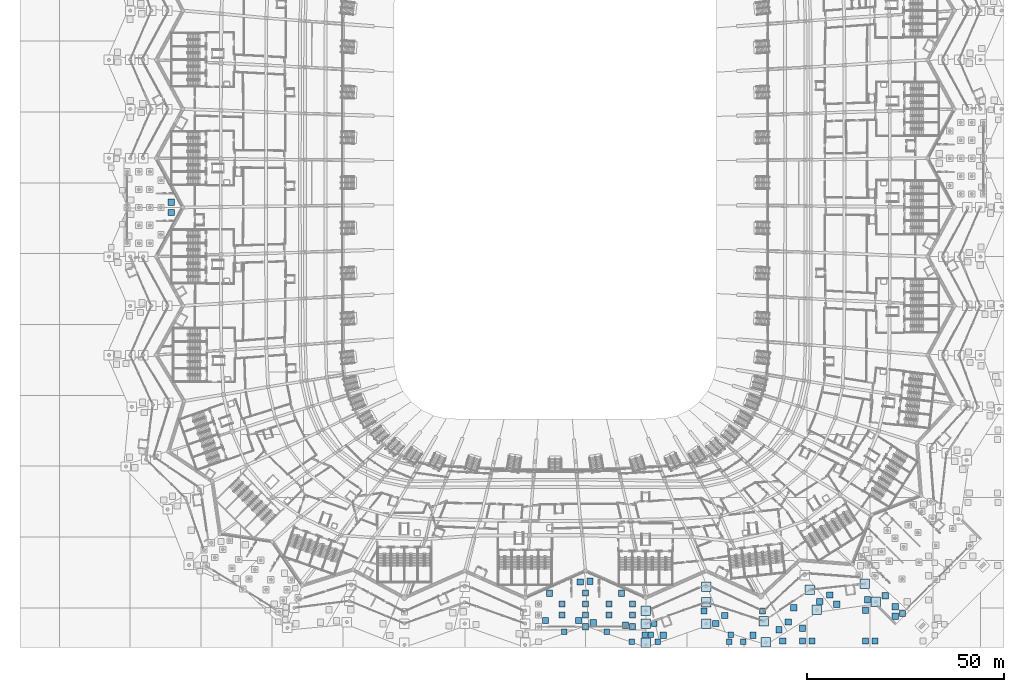
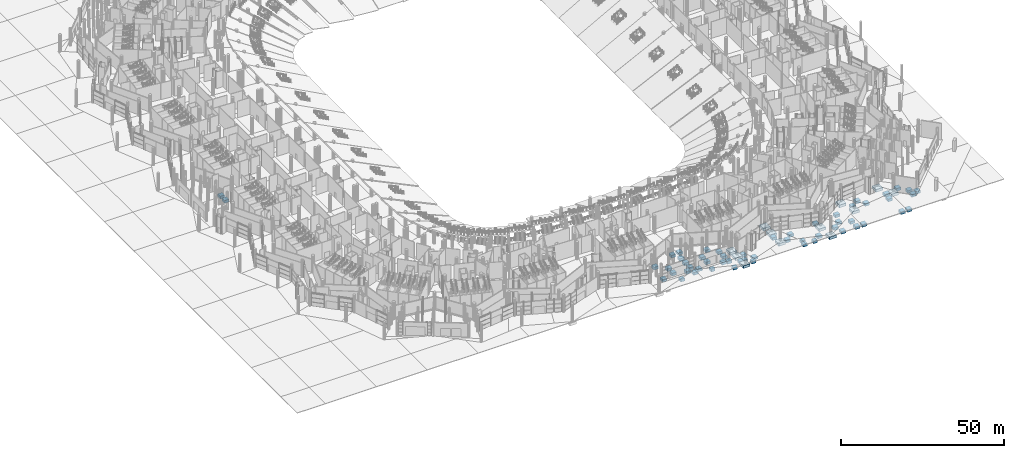
# One storey, part 3 of 255: 67 footings.
"""IFC4 building model written with IfcOpenShell, lengths in metres."""

from ifc_helpers import new_model, si_unit, direction, frame, origin, place, context, subcontext, project, spatial, polyline, outline, extrude, material, type_object, element, save


model = new_model("IFC4")

# Units and contexts
model_context = context("Model", 3, precision=1e-05, world=origin(), true_north=direction((0.0, 1.0)))
body_context = subcontext(model_context, "Body", "Model", "MODEL_VIEW")
ifc_project = project(units=[si_unit("LENGTHUNIT", "METRE"), si_unit("AREAUNIT", "SQUARE_METRE"), si_unit("VOLUMEUNIT", "CUBIC_METRE"), si_unit("PLANEANGLEUNIT", "RADIAN"), si_unit("MASSUNIT", "GRAM", prefix="KILO")], contexts=[model_context])

# Site, building, storey
site_placement = place(None, origin())
site = spatial("IfcSite", under=ifc_project, at=site_placement, CompositionType="ELEMENT")
building_placement = place(site_placement, origin())
building = spatial("IfcBuilding", under=site, at=building_placement, Name="Meseta Stadium", CompositionType="ELEMENT")
storey_placement = place(building_placement, origin())
storey = spatial("IfcBuildingStorey", under=building, at=storey_placement, Name="L00", CompositionType="ELEMENT", Elevation=0.0)

# Footings
ifc_material_1 = material(Name="Concrete C30/37", Category="concrete")
footing_type_1 = type_object("IfcFootingType", Name="Gate pad footing 1400", PredefinedType="PAD_FOOTING", material=ifc_material_1)
footing_1_placement = place(storey_placement, frame((0.0, 0.0, -1.300048828125)))
element("IfcFooting", 1, at=footing_1_placement, inside=storey, type_object=footing_type_1, Name="Paving pad footing", PredefinedType="PAD_FOOTING", context=body_context, shape_type="SweptSolid", body=[
    extrude(outline(polyline([(3.032958984375, -114.699951171875), (3.032958984375, -113.300048828125), (1.633056640625, -113.300048828125), (1.633056640625, -114.699951171875), (3.032958984375, -114.699951171875)])), origin(), (0.0, 0.0, 1.0), 1.0),
])
footing_2_placement = place(storey_placement, frame((0.0, 0.0, -1.300048828125)))
element("IfcFooting", 2, at=footing_2_placement, inside=storey, type_object=footing_type_1, Name="Paving pad footing", PredefinedType="PAD_FOOTING", context=body_context, shape_type="SweptSolid", body=[
    extrude(outline(polyline([(13.76708984375, -114.699951171875), (13.76708984375, -113.300048828125), (12.366943359375, -113.300048828125), (12.366943359375, -114.699951171875), (13.76708984375, -114.699951171875)])), origin(), (0.0, 0.0, 1.0), 1.0),
])
footing_3_placement = place(storey_placement, frame((0.0, 0.0, -1.300048828125)))
element("IfcFooting", 3, at=footing_3_placement, inside=storey, type_object=footing_type_1, Name="Paving pad footing", PredefinedType="PAD_FOOTING", context=body_context, shape_type="SweptSolid", body=[
    extrude(outline(polyline([(23.366943359375, -115.5), (23.366943359375, -114.10009765625), (21.967041015625, -114.10009765625), (21.967041015625, -115.5), (23.366943359375, -115.5)])), origin(), (0.0, 0.0, 1.0), 1.0),
])
footing_4_placement = place(storey_placement, frame((0.0, 0.0, -1.300048828125)))
element("IfcFooting", 4, at=footing_4_placement, inside=storey, type_object=footing_type_1, Name="Paving pad footing", PredefinedType="PAD_FOOTING", context=body_context, shape_type="SweptSolid", body=[
    extrude(outline(polyline([(20.1669921875, -117.300048828125), (20.1669921875, -115.89990234375), (18.76708984375, -115.89990234375), (18.76708984375, -117.300048828125), (20.1669921875, -117.300048828125)])), origin(), (0.0, 0.0, 1.0), 1.0),
])
footing_5_placement = place(storey_placement, frame((0.0, 0.0, -1.300048828125)))
element("IfcFooting", 5, at=footing_5_placement, inside=storey, type_object=footing_type_1, Name="Paving pad footing", PredefinedType="PAD_FOOTING", context=body_context, shape_type="SweptSolid", body=[
    extrude(outline(polyline([(45.299072265625, -115.5), (45.299072265625, -114.10009765625), (43.89892578125, -114.10009765625), (43.89892578125, -115.5), (45.299072265625, -115.5)])), origin(), (0.0, 0.0, 1.0), 1.0),
])
footing_6_placement = place(storey_placement, frame((0.0, 0.0, -1.300048828125)))
element("IfcFooting", 6, at=footing_6_placement, inside=storey, type_object=footing_type_1, Name="Paving pad footing", PredefinedType="PAD_FOOTING", context=body_context, shape_type="SweptSolid", body=[
    extrude(outline(polyline([(48.4990234375, -117.300048828125), (48.4990234375, -115.89990234375), (47.09912109375, -115.89990234375), (47.09912109375, -117.300048828125), (48.4990234375, -117.300048828125)])), origin(), (0.0, 0.0, 1.0), 1.0),
])
footing_7_placement = place(storey_placement, frame((0.0, 0.0, -1.300048828125)))
element("IfcFooting", 7, at=footing_7_placement, inside=storey, type_object=footing_type_1, Name="Paving pad footing", PredefinedType="PAD_FOOTING", context=body_context, shape_type="SweptSolid", body=[
    extrude(outline(polyline([(44.89892578125, -117.300048828125), (44.89892578125, -115.89990234375), (43.4990234375, -115.89990234375), (43.4990234375, -117.300048828125), (44.89892578125, -117.300048828125)])), origin(), (0.0, 0.0, 1.0), 1.0),
])
footing_8_placement = place(storey_placement, frame((0.0, 0.0, -1.300048828125)))
element("IfcFooting", 8, at=footing_8_placement, inside=storey, type_object=footing_type_1, Name="Paving pad footing", PredefinedType="PAD_FOOTING", context=body_context, shape_type="SweptSolid", body=[
    extrude(outline(polyline([(25.89990234375, -112.699951171875), (25.89990234375, -111.300048828125), (24.5, -111.300048828125), (24.5, -112.699951171875), (25.89990234375, -112.699951171875)])), origin(), (0.0, 0.0, 1.0), 1.0),
])
footing_9_placement = place(storey_placement, frame((0.0, 0.0, -1.300048828125)))
element("IfcFooting", 9, at=footing_9_placement, inside=storey, type_object=footing_type_1, Name="Paving pad footing", PredefinedType="PAD_FOOTING", context=body_context, shape_type="SweptSolid", body=[
    extrude(outline(polyline([(26.699951171875, -117.300048828125), (26.699951171875, -115.89990234375), (25.300048828125, -115.89990234375), (25.300048828125, -117.300048828125), (26.699951171875, -117.300048828125)])), origin(), (0.0, 0.0, 1.0), 1.0),
])
footing_10_placement = place(storey_placement, frame((0.0, 0.0, -1.300048828125)))
element("IfcFooting", 10, at=footing_10_placement, inside=storey, type_object=footing_type_1, Name="Paving pad footing", PredefinedType="PAD_FOOTING", context=body_context, shape_type="SweptSolid", body=[
    extrude(outline(polyline([(24.89990234375, -115.5), (24.89990234375, -114.10009765625), (23.5, -114.10009765625), (23.5, -115.5), (24.89990234375, -115.5)])), origin(), (0.0, 0.0, 1.0), 1.0),
])
ifc_material_2 = material(Name="Concrete C30/37", Category="concrete")
footing_type_2 = type_object("IfcFootingType", Name="Gate pad footing 1600", PredefinedType="PAD_FOOTING", material=ifc_material_2)
footing_11_placement = place(storey_placement, frame((0.0, 0.0, -1.300048828125)))
element("IfcFooting", 11, at=footing_11_placement, inside=storey, type_object=footing_type_2, Name="Gate 7 pad footing", PredefinedType="PAD_FOOTING", context=body_context, shape_type="SweptSolid", body=[
    extrude(outline(polyline([(-0.688720703125, -105.0634765625), (-0.688720703125, -103.46337890625), (-2.28857421875, -103.46337890625), (-2.28857421875, -105.0634765625), (-0.688720703125, -105.0634765625)])), origin(), (0.0, 0.0, 1.0), 1.0),
])
footing_12_placement = place(storey_placement, frame((0.0, 0.0, -1.300048828125)))
element("IfcFooting", 12, at=footing_12_placement, inside=storey, type_object=footing_type_2, Name="Gate 7 pad footing", PredefinedType="PAD_FOOTING", context=body_context, shape_type="SweptSolid", body=[
    extrude(outline(polyline([(8.466796875, -105.0), (8.466796875, -103.39990234375), (6.86669921875, -103.39990234375), (6.86669921875, -105.0), (8.466796875, -105.0)])), origin(), (0.0, 0.0, 1.0), 1.0),
])
footing_13_placement = place(storey_placement, frame((0.0, 0.0, -1.300048828125)))
element("IfcFooting", 13, at=footing_13_placement, inside=storey, type_object=footing_type_2, Name="Gate 7 pad footing", PredefinedType="PAD_FOOTING", context=body_context, shape_type="SweptSolid", body=[
    extrude(outline(polyline([(17.6220703125, -105.0634765625), (17.6220703125, -103.46337890625), (16.02197265625, -103.46337890625), (16.02197265625, -105.0634765625), (17.6220703125, -105.0634765625)])), origin(), (0.0, 0.0, 1.0), 1.0),
])
footing_14_placement = place(storey_placement, frame((0.0, 0.0, -1.300048828125)))
element("IfcFooting", 14, at=footing_14_placement, inside=storey, type_object=footing_type_2, Name="Gate 7 pad footing", PredefinedType="PAD_FOOTING", context=body_context, shape_type="SweptSolid", body=[
    extrude(outline(polyline([(2.5, -107.800048828125), (2.5, -106.199951171875), (0.89990234375, -106.199951171875), (0.89990234375, -107.800048828125), (2.5, -107.800048828125)])), origin(), (0.0, 0.0, 1.0), 1.0),
])
footing_15_placement = place(storey_placement, frame((0.0, 0.0, -1.300048828125)))
element("IfcFooting", 15, at=footing_15_placement, inside=storey, type_object=footing_type_2, Name="Gate 7 pad footing", PredefinedType="PAD_FOOTING", context=body_context, shape_type="SweptSolid", body=[
    extrude(outline(polyline([(8.466796875, -107.800048828125), (8.466796875, -106.199951171875), (6.86669921875, -106.199951171875), (6.86669921875, -107.800048828125), (8.466796875, -107.800048828125)])), origin(), (0.0, 0.0, 1.0), 1.0),
])
footing_16_placement = place(storey_placement, frame((0.0, 0.0, -1.300048828125)))
element("IfcFooting", 16, at=footing_16_placement, inside=storey, type_object=footing_type_2, Name="Gate 7 pad footing", PredefinedType="PAD_FOOTING", context=body_context, shape_type="SweptSolid", body=[
    extrude(outline(polyline([(14.433349609375, -107.800048828125), (14.433349609375, -106.199951171875), (12.833251953125, -106.199951171875), (12.833251953125, -107.800048828125), (14.433349609375, -107.800048828125)])), origin(), (0.0, 0.0, 1.0), 1.0),
])
footing_17_placement = place(storey_placement, frame((0.0, 0.0, -1.300048828125)))
element("IfcFooting", 17, at=footing_17_placement, inside=storey, type_object=footing_type_2, Name="Gate 7 pad footing", PredefinedType="PAD_FOOTING", context=body_context, shape_type="SweptSolid", body=[
    extrude(outline(polyline([(20.39990234375, -107.800048828125), (20.39990234375, -106.199951171875), (18.800048828125, -106.199951171875), (18.800048828125, -107.800048828125), (20.39990234375, -107.800048828125)])), origin(), (0.0, 0.0, 1.0), 1.0),
])
footing_18_placement = place(storey_placement, frame((0.0, 0.0, -1.300048828125)))
element("IfcFooting", 18, at=footing_18_placement, inside=storey, type_object=footing_type_2, Name="Gate 7 pad footing", PredefinedType="PAD_FOOTING", context=body_context, shape_type="SweptSolid", body=[
    extrude(outline(polyline([(2.5, -110.60009765625), (2.5, -109.0), (0.89990234375, -109.0), (0.89990234375, -110.60009765625), (2.5, -110.60009765625)])), origin(), (0.0, 0.0, 1.0), 1.0),
])
footing_19_placement = place(storey_placement, frame((0.0, 0.0, -1.300048828125)))
element("IfcFooting", 19, at=footing_19_placement, inside=storey, type_object=footing_type_2, Name="Gate 7 pad footing", PredefinedType="PAD_FOOTING", context=body_context, shape_type="SweptSolid", body=[
    extrude(outline(polyline([(8.466796875, -110.60009765625), (8.466796875, -109.0), (6.86669921875, -109.0), (6.86669921875, -110.60009765625), (8.466796875, -110.60009765625)])), origin(), (0.0, 0.0, 1.0), 1.0),
])
footing_20_placement = place(storey_placement, frame((0.0, 0.0, -1.300048828125)))
element("IfcFooting", 20, at=footing_20_placement, inside=storey, type_object=footing_type_2, Name="Gate 7 pad footing", PredefinedType="PAD_FOOTING", context=body_context, shape_type="SweptSolid", body=[
    extrude(outline(polyline([(14.433349609375, -110.60009765625), (14.433349609375, -109.0), (12.833251953125, -109.0), (12.833251953125, -110.60009765625), (14.433349609375, -110.60009765625)])), origin(), (0.0, 0.0, 1.0), 1.0),
])
footing_21_placement = place(storey_placement, frame((0.0, 0.0, -1.300048828125)))
element("IfcFooting", 21, at=footing_21_placement, inside=storey, type_object=footing_type_2, Name="Gate 7 pad footing", PredefinedType="PAD_FOOTING", context=body_context, shape_type="SweptSolid", body=[
    extrude(outline(polyline([(20.39990234375, -110.60009765625), (20.39990234375, -109.0), (18.800048828125, -109.0), (18.800048828125, -110.60009765625), (20.39990234375, -110.60009765625)])), origin(), (0.0, 0.0, 1.0), 1.0),
])
footing_22_placement = place(storey_placement, frame((0.0, 0.0, -1.300048828125)))
element("IfcFooting", 22, at=footing_22_placement, inside=storey, type_object=footing_type_2, Name="Gate 7 pad footing", PredefinedType="PAD_FOOTING", context=body_context, shape_type="SweptSolid", body=[
    extrude(outline(polyline([(8.466796875, -113.60009765625), (8.466796875, -112.0), (6.86669921875, -112.0), (6.86669921875, -113.60009765625), (8.466796875, -113.60009765625)])), origin(), (0.0, 0.0, 1.0), 1.0),
])
footing_23_placement = place(storey_placement, frame((0.0, 0.0, -1.300048828125)))
element("IfcFooting", 23, at=footing_23_placement, inside=storey, type_object=footing_type_2, Name="Gate 7 pad footing", PredefinedType="PAD_FOOTING", context=body_context, shape_type="SweptSolid", body=[
    extrude(outline(polyline([(20.39990234375, -113.60009765625), (20.39990234375, -112.0), (18.800048828125, -112.0), (18.800048828125, -113.60009765625), (20.39990234375, -113.60009765625)])), origin(), (0.0, 0.0, 1.0), 1.0),
])
footing_24_placement = place(storey_placement, frame((0.0, 0.0, -1.300048828125)))
element("IfcFooting", 24, at=footing_24_placement, inside=storey, type_object=footing_type_2, Name="Gate 8 pad footing", PredefinedType="PAD_FOOTING", context=body_context, shape_type="SweptSolid", body=[
    extrude(outline(polyline([(84.630126953125, -105.7421875), (84.630126953125, -104.14208984375), (83.0302734375, -104.14208984375), (83.0302734375, -105.7421875), (84.630126953125, -105.7421875)])), origin(), (0.0, 0.0, 1.0), 1.0),
])
footing_25_placement = place(storey_placement, frame((0.0, 0.0, -1.300048828125)))
element("IfcFooting", 25, at=footing_25_placement, inside=storey, type_object=footing_type_2, Name="Gate 8 pad footing", PredefinedType="PAD_FOOTING", context=body_context, shape_type="SweptSolid", body=[
    extrude(outline(polyline([(89.014404296875, -110.126220703125), (89.014404296875, -108.5263671875), (87.414306640625, -108.5263671875), (87.414306640625, -110.126220703125), (89.014404296875, -110.126220703125)])), origin(), (0.0, 0.0, 1.0), 1.0),
])
ifc_material_3 = material(Name="Concrete C30/37", Category="concrete")
footing_type_3 = type_object("IfcFootingType", Name="Ring pad footing 1600", PredefinedType="PAD_FOOTING", material=ifc_material_3)
footing_26_placement = place(storey_placement, frame((0.0, 0.0, -1.300048828125)))
element("IfcFooting", 26, at=footing_26_placement, inside=storey, type_object=footing_type_3, Name="Ring pad footing F50M", PredefinedType="PAD_FOOTING", context=body_context, shape_type="SweptSolid", body=[
    extrude(outline(polyline([(53.426025390625, -109.608154296875), (53.426025390625, -108.00830078125), (51.826171875, -108.00830078125), (51.826171875, -109.608154296875), (53.426025390625, -109.608154296875)])), origin(), (0.0, 0.0, 1.0), 1.0),
])
footing_27_placement = place(storey_placement, frame((0.0, 0.0, -1.300048828125)))
element("IfcFooting", 27, at=footing_27_placement, inside=storey, type_object=footing_type_3, Name="Paving pad footing", PredefinedType="PAD_FOOTING", context=body_context, shape_type="SweptSolid", body=[
    extrude(outline(polyline([(-96.800048828125, -5.764892578125), (-96.800048828125, -4.1650390625), (-98.39990234375, -4.1650390625), (-98.39990234375, -5.764892578125), (-96.800048828125, -5.764892578125)])), origin(), (0.0, 0.0, 1.0), 1.0),
])
footing_28_placement = place(storey_placement, frame((0.0, 0.0, -1.300048828125)))
element("IfcFooting", 28, at=footing_28_placement, inside=storey, type_object=footing_type_3, Name="Paving pad footing", PredefinedType="PAD_FOOTING", context=body_context, shape_type="SweptSolid", body=[
    extrude(outline(polyline([(-96.800048828125, -8.35009765625), (-96.800048828125, -6.75), (-98.39990234375, -6.75), (-98.39990234375, -8.35009765625), (-96.800048828125, -8.35009765625)])), origin(), (0.0, 0.0, 1.0), 1.0),
])
footing_29_placement = place(storey_placement, frame((0.0, 0.0, -1.300048828125)))
element("IfcFooting", 29, at=footing_29_placement, inside=storey, type_object=footing_type_3, Name="Paving pad footing", PredefinedType="PAD_FOOTING", context=body_context, shape_type="SweptSolid", body=[
    extrude(outline(polyline([(7.133056640625, -102.199951171875), (7.133056640625, -100.60009765625), (5.532958984375, -100.60009765625), (5.532958984375, -102.199951171875), (7.133056640625, -102.199951171875)])), origin(), (0.0, 0.0, 1.0), 1.0),
])
footing_30_placement = place(storey_placement, frame((0.0, 0.0, -1.300048828125)))
element("IfcFooting", 30, at=footing_30_placement, inside=storey, type_object=footing_type_3, Name="Paving pad footing", PredefinedType="PAD_FOOTING", context=body_context, shape_type="SweptSolid", body=[
    extrude(outline(polyline([(-1.6669921875, -112.0), (-1.6669921875, -110.39990234375), (-3.26708984375, -110.39990234375), (-3.26708984375, -112.0), (-1.6669921875, -112.0)])), origin(), (0.0, 0.0, 1.0), 1.0),
])
footing_31_placement = place(storey_placement, frame((0.0, 0.0, -1.300048828125)))
element("IfcFooting", 31, at=footing_31_placement, inside=storey, type_object=footing_type_3, Name="Paving pad footing", PredefinedType="PAD_FOOTING", context=body_context, shape_type="SweptSolid", body=[
    extrude(outline(polyline([(6.73291015625, -112.0), (6.73291015625, -110.39990234375), (5.133056640625, -110.39990234375), (5.133056640625, -112.0), (6.73291015625, -112.0)])), origin(), (0.0, 0.0, 1.0), 1.0),
])
footing_32_placement = place(storey_placement, frame((0.0, 0.0, -1.300048828125)))
element("IfcFooting", 32, at=footing_32_placement, inside=storey, type_object=footing_type_3, Name="Paving pad footing", PredefinedType="PAD_FOOTING", context=body_context, shape_type="SweptSolid", body=[
    extrude(outline(polyline([(9.626953125, -102.0), (9.626953125, -100.39990234375), (8.027099609375, -100.39990234375), (8.027099609375, -102.0), (9.626953125, -102.0)])), origin(), (0.0, 0.0, 1.0), 1.0),
])
footing_33_placement = place(storey_placement, frame((0.0, 0.0, -1.300048828125)))
element("IfcFooting", 33, at=footing_33_placement, inside=storey, type_object=footing_type_3, Name="Paving pad footing", PredefinedType="PAD_FOOTING", context=body_context, shape_type="SweptSolid", body=[
    extrude(outline(polyline([(18.626953125, -113.199951171875), (18.626953125, -111.60009765625), (17.027099609375, -111.60009765625), (17.027099609375, -113.199951171875), (18.626953125, -113.199951171875)])), origin(), (0.0, 0.0, 1.0), 1.0),
])
footing_34_placement = place(storey_placement, frame((0.0, 0.0, -1.300048828125)))
element("IfcFooting", 34, at=footing_34_placement, inside=storey, type_object=footing_type_3, Name="Paving pad footing", PredefinedType="PAD_FOOTING", context=body_context, shape_type="SweptSolid", body=[
    extrude(outline(polyline([(10.427001953125, -112.60009765625), (10.427001953125, -111.0), (8.826904296875, -111.0), (8.826904296875, -112.60009765625), (10.427001953125, -112.60009765625)])), origin(), (0.0, 0.0, 1.0), 1.0),
])
footing_35_placement = place(storey_placement, frame((0.0, 0.0, -1.300048828125)))
element("IfcFooting", 35, at=footing_35_placement, inside=storey, type_object=footing_type_3, Name="Paving pad footing", PredefinedType="PAD_FOOTING", context=body_context, shape_type="SweptSolid", body=[
    extrude(outline(polyline([(63.60009765625, -114.0), (63.60009765625, -112.39990234375), (62.0, -112.39990234375), (62.0, -114.0), (63.60009765625, -114.0)])), origin(), (0.0, 0.0, 1.0), 1.0),
])
footing_36_placement = place(storey_placement, frame((0.0, 0.0, -1.300048828125)))
element("IfcFooting", 36, at=footing_36_placement, inside=storey, type_object=footing_type_3, Name="Paving pad footing", PredefinedType="PAD_FOOTING", context=body_context, shape_type="SweptSolid", body=[
    extrude(outline(polyline([(58.60009765625, -117.199951171875), (58.60009765625, -115.60009765625), (57.0, -115.60009765625), (57.0, -117.199951171875), (58.60009765625, -117.199951171875)])), origin(), (0.0, 0.0, 1.0), 1.0),
])
footing_37_placement = place(storey_placement, frame((0.0, 0.0, -1.300048828125)))
element("IfcFooting", 37, at=footing_37_placement, inside=storey, type_object=footing_type_3, Name="Paving pad footing", PredefinedType="PAD_FOOTING", context=body_context, shape_type="SweptSolid", body=[
    extrude(outline(polyline([(63.60009765625, -117.199951171875), (63.60009765625, -115.60009765625), (62.0, -115.60009765625), (62.0, -117.199951171875), (63.60009765625, -117.199951171875)])), origin(), (0.0, 0.0, 1.0), 1.0),
])
footing_38_placement = place(storey_placement, frame((0.0, 0.0, -1.300048828125)))
element("IfcFooting", 38, at=footing_38_placement, inside=storey, type_object=footing_type_3, Name="Paving pad footing", PredefinedType="PAD_FOOTING", context=body_context, shape_type="SweptSolid", body=[
    extrude(outline(polyline([(66.0, -117.199951171875), (66.0, -115.60009765625), (64.39990234375, -115.60009765625), (64.39990234375, -117.199951171875), (66.0, -117.199951171875)])), origin(), (0.0, 0.0, 1.0), 1.0),
])
footing_39_placement = place(storey_placement, frame((0.0, 0.0, -1.300048828125)))
element("IfcFooting", 39, at=footing_39_placement, inside=storey, type_object=footing_type_3, Name="Paving pad footing", PredefinedType="PAD_FOOTING", context=body_context, shape_type="SweptSolid", body=[
    extrude(outline(polyline([(79.60009765625, -109.39990234375), (79.60009765625, -107.800048828125), (78.0, -107.800048828125), (78.0, -109.39990234375), (79.60009765625, -109.39990234375)])), origin(), (0.0, 0.0, 1.0), 1.0),
])
footing_40_placement = place(storey_placement, frame((0.0, 0.0, -1.300048828125)))
element("IfcFooting", 40, at=footing_40_placement, inside=storey, type_object=footing_type_3, Name="Paving pad footing", PredefinedType="PAD_FOOTING", context=body_context, shape_type="SweptSolid", body=[
    extrude(outline(polyline([(79.60009765625, -117.199951171875), (79.60009765625, -115.60009765625), (78.0, -115.60009765625), (78.0, -117.199951171875), (79.60009765625, -117.199951171875)])), origin(), (0.0, 0.0, 1.0), 1.0),
])
footing_41_placement = place(storey_placement, frame((0.0, 0.0, -1.300048828125)))
element("IfcFooting", 41, at=footing_41_placement, inside=storey, type_object=footing_type_3, Name="Paving pad footing", PredefinedType="PAD_FOOTING", context=body_context, shape_type="SweptSolid", body=[
    extrude(outline(polyline([(82.0, -117.199951171875), (82.0, -115.60009765625), (80.39990234375, -115.60009765625), (80.39990234375, -117.199951171875), (82.0, -117.199951171875)])), origin(), (0.0, 0.0, 1.0), 1.0),
])
footing_42_placement = place(storey_placement, frame((0.0, 0.0, -1.300048828125)))
element("IfcFooting", 42, at=footing_42_placement, inside=storey, type_object=footing_type_3, Name="Paving pad footing", PredefinedType="PAD_FOOTING", context=body_context, shape_type="SweptSolid", body=[
    extrude(outline(polyline([(87.14111328125, -110.89599609375), (87.14111328125, -109.2958984375), (85.541015625, -109.2958984375), (85.541015625, -110.89599609375), (87.14111328125, -110.89599609375)])), origin(), (0.0, 0.0, 1.0), 1.0),
])
footing_43_placement = place(storey_placement, frame((0.0, 0.0, -1.300048828125)))
element("IfcFooting", 43, at=footing_43_placement, inside=storey, type_object=footing_type_3, Name="Paving pad footing", PredefinedType="PAD_FOOTING", context=body_context, shape_type="SweptSolid", body=[
    extrude(outline(polyline([(87.14111328125, -108.49609375), (87.14111328125, -106.89599609375), (85.541015625, -106.89599609375), (85.541015625, -108.49609375), (87.14111328125, -108.49609375)])), origin(), (0.0, 0.0, 1.0), 1.0),
])
footing_44_placement = place(storey_placement, frame((0.0, 0.0, -1.300048828125)))
element("IfcFooting", 44, at=footing_44_placement, inside=storey, type_object=footing_type_3, Name="Paving pad footing", PredefinedType="PAD_FOOTING", context=body_context, shape_type="SweptSolid", body=[
    extrude(outline(polyline([(28.197021484375, -115.761962890625), (28.197021484375, -114.162109375), (26.596923828125, -114.162109375), (26.596923828125, -115.761962890625), (28.197021484375, -115.761962890625)])), origin(), (0.0, 0.0, 1.0), 1.0),
])
footing_45_placement = place(storey_placement, frame((0.0, 0.0, -1.300048828125)))
element("IfcFooting", 45, at=footing_45_placement, inside=storey, type_object=footing_type_3, Name="Paving pad footing", PredefinedType="PAD_FOOTING", context=body_context, shape_type="SweptSolid", body=[
    extrude(outline(polyline([(41.596923828125, -112.761962890625), (41.596923828125, -111.162109375), (39.9970703125, -111.162109375), (39.9970703125, -112.761962890625), (41.596923828125, -112.761962890625)])), origin(), (0.0, 0.0, 1.0), 1.0),
])
footing_46_placement = place(storey_placement, frame((0.0, 0.0, -1.300048828125)))
element("IfcFooting", 46, at=footing_46_placement, inside=storey, type_object=footing_type_3, Name="Paving pad footing", PredefinedType="PAD_FOOTING", context=body_context, shape_type="SweptSolid", body=[
    extrude(outline(polyline([(38.596923828125, -109.56201171875), (38.596923828125, -107.9619140625), (36.9970703125, -107.9619140625), (36.9970703125, -109.56201171875), (38.596923828125, -109.56201171875)])), origin(), (0.0, 0.0, 1.0), 1.0),
])
footing_47_placement = place(storey_placement, frame((0.0, 0.0, -1.300048828125)))
element("IfcFooting", 47, at=footing_47_placement, inside=storey, type_object=footing_type_3, Name="Paving pad footing", PredefinedType="PAD_FOOTING", context=body_context, shape_type="SweptSolid", body=[
    extrude(outline(polyline([(43.843994140625, -110.73291015625), (43.843994140625, -109.133056640625), (42.243896484375, -109.133056640625), (42.243896484375, -110.73291015625), (43.843994140625, -110.73291015625)])), origin(), (0.0, 0.0, 1.0), 1.0),
])
footing_48_placement = place(storey_placement, frame((0.0, 0.0, -1.300048828125)))
element("IfcFooting", 48, at=footing_48_placement, inside=storey, type_object=footing_type_3, Name="Paving pad footing", PredefinedType="PAD_FOOTING", context=body_context, shape_type="SweptSolid", body=[
    extrude(outline(polyline([(57.64404296875, -114.3330078125), (57.64404296875, -112.73291015625), (56.0439453125, -112.73291015625), (56.0439453125, -114.3330078125), (57.64404296875, -114.3330078125)])), origin(), (0.0, 0.0, 1.0), 1.0),
])
footing_49_placement = place(storey_placement, frame((0.0, 0.0, -1.300048828125)))
element("IfcFooting", 49, at=footing_49_placement, inside=storey, type_object=footing_type_3, Name="Paving pad footing", PredefinedType="PAD_FOOTING", context=body_context, shape_type="SweptSolid", body=[
    extrude(outline(polyline([(51.0439453125, -115.73291015625), (51.0439453125, -114.133056640625), (49.444091796875, -114.133056640625), (49.444091796875, -115.73291015625), (51.0439453125, -115.73291015625)])), origin(), (0.0, 0.0, 1.0), 1.0),
])
footing_50_placement = place(storey_placement, frame((0.0, 0.0, -1.300048828125)))
element("IfcFooting", 50, at=footing_50_placement, inside=storey, type_object=footing_type_3, Name="Paving pad footing", PredefinedType="PAD_FOOTING", context=body_context, shape_type="SweptSolid", body=[
    extrude(outline(polyline([(59.9619140625, -112.35693359375), (59.9619140625, -110.757080078125), (58.362060546875, -110.757080078125), (58.362060546875, -112.35693359375), (59.9619140625, -112.35693359375)])), origin(), (0.0, 0.0, 1.0), 1.0),
])
footing_51_placement = place(storey_placement, frame((0.0, 0.0, -1.300048828125)))
element("IfcFooting", 51, at=footing_51_placement, inside=storey, type_object=footing_type_3, Name="Paving pad footing", PredefinedType="PAD_FOOTING", context=body_context, shape_type="SweptSolid", body=[
    extrude(outline(polyline([(67.9619140625, -107.156982421875), (67.9619140625, -105.556884765625), (66.362060546875, -105.556884765625), (66.362060546875, -107.156982421875), (67.9619140625, -107.156982421875)])), origin(), (0.0, 0.0, 1.0), 1.0),
])
footing_52_placement = place(storey_placement, frame((0.0, 0.0, -1.300048828125)))
element("IfcFooting", 52, at=footing_52_placement, inside=storey, type_object=footing_type_3, Name="Paving pad footing", PredefinedType="PAD_FOOTING", context=body_context, shape_type="SweptSolid", body=[
    extrude(outline(polyline([(61.362060546875, -108.757080078125), (61.362060546875, -107.156982421875), (59.761962890625, -107.156982421875), (59.761962890625, -108.757080078125), (61.362060546875, -108.757080078125)])), origin(), (0.0, 0.0, 1.0), 1.0),
])
footing_53_placement = place(storey_placement, frame((0.0, 0.0, -1.300048828125)))
element("IfcFooting", 53, at=footing_53_placement, inside=storey, type_object=footing_type_3, Name="Paving pad footing", PredefinedType="PAD_FOOTING", context=body_context, shape_type="SweptSolid", body=[
    extrude(outline(polyline([(80.113037109375, -106.700927734375), (80.113037109375, -105.10107421875), (78.512939453125, -105.10107421875), (78.512939453125, -106.700927734375), (80.113037109375, -106.700927734375)])), origin(), (0.0, 0.0, 1.0), 1.0),
])
footing_54_placement = place(storey_placement, frame((0.0, 0.0, -1.300048828125)))
element("IfcFooting", 54, at=footing_54_placement, inside=storey, type_object=footing_type_3, Name="Paving pad footing", PredefinedType="PAD_FOOTING", context=body_context, shape_type="SweptSolid", body=[
    extrude(outline(polyline([(70.512939453125, -105.5009765625), (70.512939453125, -103.90087890625), (68.9130859375, -103.90087890625), (68.9130859375, -105.5009765625), (70.512939453125, -105.5009765625)])), origin(), (0.0, 0.0, 1.0), 1.0),
])
footing_55_placement = place(storey_placement, frame((0.0, 0.0, -1.300048828125)))
element("IfcFooting", 55, at=footing_55_placement, inside=storey, type_object=footing_type_3, Name="Paving pad footing", PredefinedType="PAD_FOOTING", context=body_context, shape_type="SweptSolid", body=[
    extrude(outline(polyline([(72.31298828125, -107.90087890625), (72.31298828125, -106.301025390625), (70.712890625, -106.301025390625), (70.712890625, -107.90087890625), (72.31298828125, -107.90087890625)])), origin(), (0.0, 0.0, 1.0), 1.0),
])
ifc_material_4 = material(Name="Concrete C30/37", Category="concrete")
footing_type_4 = type_object("IfcFootingType", Name="Ring pad footing 2400", PredefinedType="PAD_FOOTING", material=ifc_material_4)
footing_56_placement = place(storey_placement, frame((0.0, 0.0, -1.300048828125)))
element("IfcFooting", 56, at=footing_56_placement, inside=storey, type_object=footing_type_4, Name="Ring pad footing F48M", PredefinedType="PAD_FOOTING", context=body_context, shape_type="SweptSolid", body=[
    extrude(outline(polyline([(24.199951171875, -109.89990234375), (24.199951171875, -107.5), (21.800048828125, -107.5), (21.800048828125, -109.89990234375), (24.199951171875, -109.89990234375)])), origin(), (0.0, 0.0, 1.0), 1.0),
])
footing_57_placement = place(storey_placement, frame((0.0, 0.0, -1.300048828125)))
element("IfcFooting", 57, at=footing_57_placement, inside=storey, type_object=footing_type_4, Name="Ring pad footing F48Q", PredefinedType="PAD_FOOTING", context=body_context, shape_type="SweptSolid", body=[
    extrude(outline(polyline([(24.199951171875, -113.199951171875), (24.199951171875, -110.800048828125), (21.800048828125, -110.800048828125), (21.800048828125, -113.199951171875), (24.199951171875, -113.199951171875)])), origin(), (0.0, 0.0, 1.0), 1.0),
])
footing_58_placement = place(storey_placement, frame((0.0, 0.0, -1.300048828125)))
element("IfcFooting", 58, at=footing_58_placement, inside=storey, type_object=footing_type_4, Name="Ring pad footing F48O", PredefinedType="PAD_FOOTING", context=body_context, shape_type="SweptSolid", body=[
    extrude(outline(polyline([(24.199951171875, -118.0), (24.199951171875, -115.60009765625), (21.800048828125, -115.60009765625), (21.800048828125, -118.0), (24.199951171875, -118.0)])), origin(), (0.0, 0.0, 1.0), 1.0),
])
footing_59_placement = place(storey_placement, frame((0.0, 0.0, -1.300048828125)))
element("IfcFooting", 59, at=footing_59_placement, inside=storey, type_object=footing_type_4, Name="Ring pad footing F49M", PredefinedType="PAD_FOOTING", context=body_context, shape_type="SweptSolid", body=[
    extrude(outline(polyline([(39.533203125, -103.800048828125), (39.533203125, -101.39990234375), (37.13330078125, -101.39990234375), (37.13330078125, -103.800048828125), (39.533203125, -103.800048828125)])), origin(), (0.0, 0.0, 1.0), 1.0),
])
footing_60_placement = place(storey_placement, frame((0.0, 0.0, -1.300048828125)))
element("IfcFooting", 60, at=footing_60_placement, inside=storey, type_object=footing_type_4, Name="Ring pad footing F49Q", PredefinedType="PAD_FOOTING", context=body_context, shape_type="SweptSolid", body=[
    extrude(outline(polyline([(39.533203125, -107.800048828125), (39.533203125, -105.39990234375), (37.13330078125, -105.39990234375), (37.13330078125, -107.800048828125), (39.533203125, -107.800048828125)])), origin(), (0.0, 0.0, 1.0), 1.0),
])
footing_61_placement = place(storey_placement, frame((0.0, 0.0, -1.300048828125)))
element("IfcFooting", 61, at=footing_61_placement, inside=storey, type_object=footing_type_4, Name="Ring pad footing F49O", PredefinedType="PAD_FOOTING", context=body_context, shape_type="SweptSolid", body=[
    extrude(outline(polyline([(39.533203125, -113.199951171875), (39.533203125, -110.800048828125), (37.13330078125, -110.800048828125), (37.13330078125, -113.199951171875), (39.533203125, -113.199951171875)])), origin(), (0.0, 0.0, 1.0), 1.0),
])
footing_62_placement = place(storey_placement, frame((0.0, 0.0, -1.300048828125)))
element("IfcFooting", 62, at=footing_62_placement, inside=storey, type_object=footing_type_4, Name="Ring pad footing F50Q", PredefinedType="PAD_FOOTING", context=body_context, shape_type="SweptSolid", body=[
    extrude(outline(polyline([(54.114990234375, -112.572509765625), (54.114990234375, -110.17236328125), (51.715087890625, -110.17236328125), (51.715087890625, -112.572509765625), (54.114990234375, -112.572509765625)])), origin(), (0.0, 0.0, 1.0), 1.0),
])
footing_63_placement = place(storey_placement, frame((0.0, 0.0, -1.300048828125)))
element("IfcFooting", 63, at=footing_63_placement, inside=storey, type_object=footing_type_4, Name="Ring pad footing F50O", PredefinedType="PAD_FOOTING", context=body_context, shape_type="SweptSolid", body=[
    extrude(outline(polyline([(54.719482421875, -117.9384765625), (54.719482421875, -115.538330078125), (52.319580078125, -115.538330078125), (52.319580078125, -117.9384765625), (54.719482421875, -117.9384765625)])), origin(), (0.0, 0.0, 1.0), 1.0),
])
footing_64_placement = place(storey_placement, frame((0.0, 0.0, -1.300048828125)))
element("IfcFooting", 64, at=footing_64_placement, inside=storey, type_object=footing_type_4, Name="Ring pad footing F51Q", PredefinedType="PAD_FOOTING", context=body_context, shape_type="SweptSolid", body=[
    extrude(outline(polyline([(65.893798828125, -104.623779296875), (65.893798828125, -102.223876953125), (63.493896484375, -102.223876953125), (63.493896484375, -104.623779296875), (65.893798828125, -104.623779296875)])), origin(), (0.0, 0.0, 1.0), 1.0),
])
footing_65_placement = place(storey_placement, frame((0.0, 0.0, -1.300048828125)))
element("IfcFooting", 65, at=footing_65_placement, inside=storey, type_object=footing_type_4, Name="Ring pad footing F51O", PredefinedType="PAD_FOOTING", context=body_context, shape_type="SweptSolid", body=[
    extrude(outline(polyline([(67.67724609375, -109.720703125), (67.67724609375, -107.32080078125), (65.27734375, -107.32080078125), (65.27734375, -109.720703125), (67.67724609375, -109.720703125)])), origin(), (0.0, 0.0, 1.0), 1.0),
])
footing_66_placement = place(storey_placement, frame((0.0, 0.0, -1.300048828125)))
element("IfcFooting", 66, at=footing_66_placement, inside=storey, type_object=footing_type_4, Name="Ring pad footing F52Q", PredefinedType="PAD_FOOTING", context=body_context, shape_type="SweptSolid", body=[
    extrude(outline(polyline([(79.78076171875, -103.052001953125), (79.78076171875, -100.65185546875), (77.380615234375, -100.65185546875), (77.380615234375, -103.052001953125), (79.78076171875, -103.052001953125)])), origin(), (0.0, 0.0, 1.0), 1.0),
])
footing_67_placement = place(storey_placement, frame((0.0, 0.0, -1.300048828125)))
element("IfcFooting", 67, at=footing_67_placement, inside=storey, type_object=footing_type_4, Name="Ring pad footing F52O", PredefinedType="PAD_FOOTING", context=body_context, shape_type="SweptSolid", body=[
    extrude(outline(polyline([(82.65380859375, -107.624267578125), (82.65380859375, -105.22412109375), (80.253662109375, -105.22412109375), (80.253662109375, -107.624267578125), (82.65380859375, -107.624267578125)])), origin(), (0.0, 0.0, 1.0), 1.0),
])

save(model, "model.ifc")
